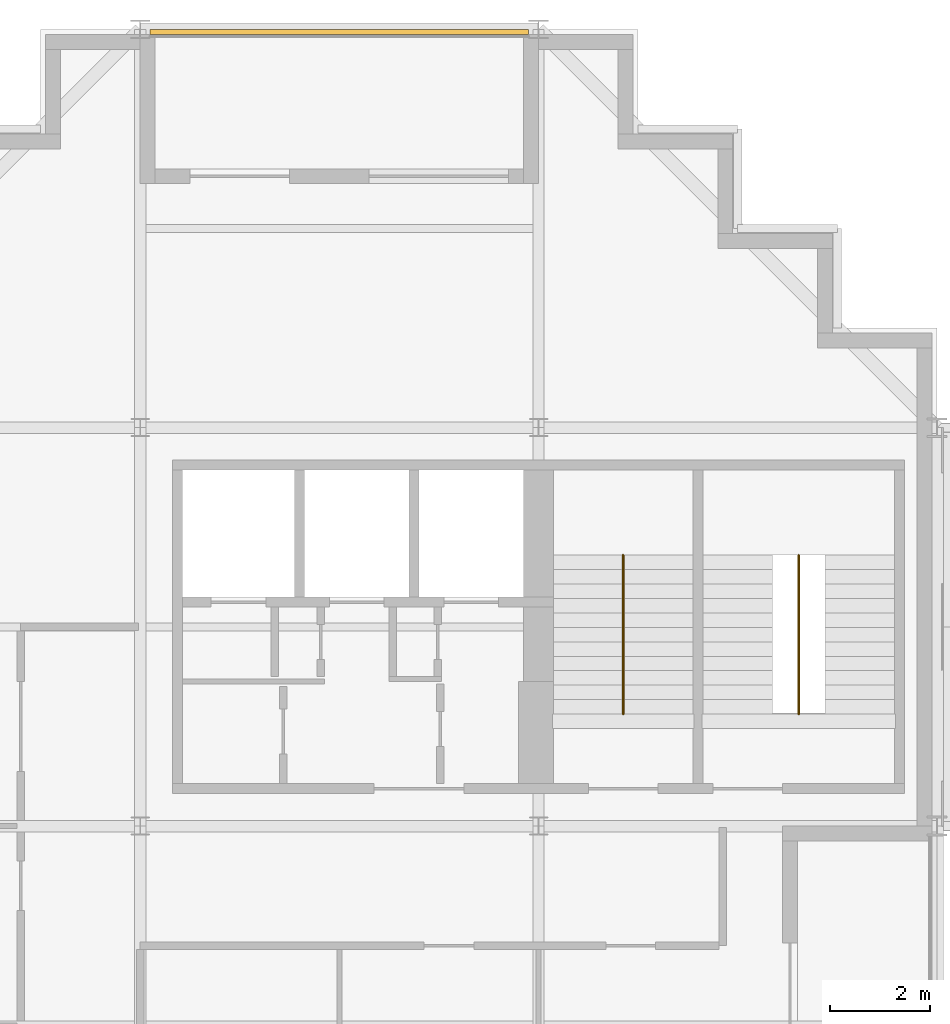
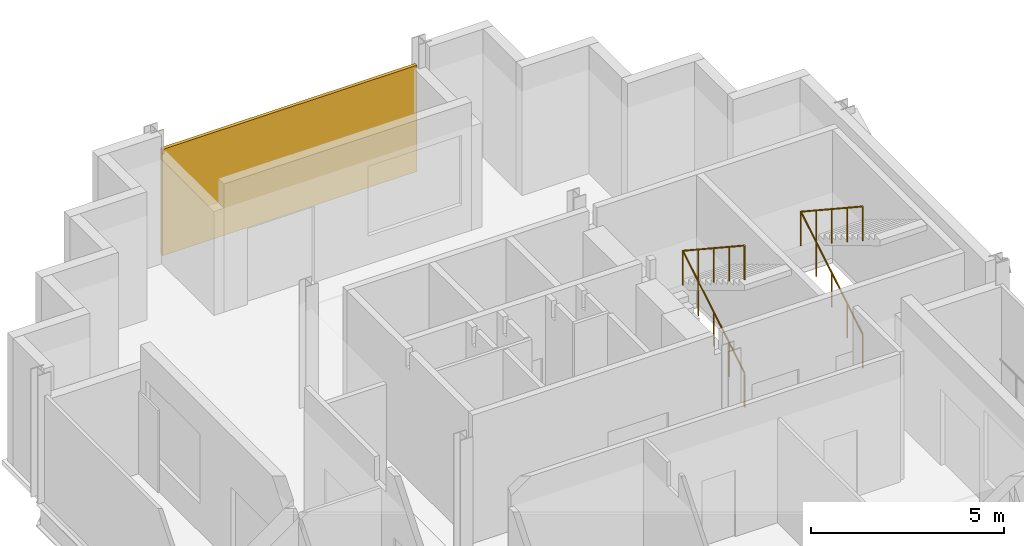
# One storey, part 12 of 13: 2 railings, 1 shading device.
"""IFC4 building model written with IfcOpenShell, lengths in metres."""

from ifc_helpers import new_model, si_unit, direction, frame, origin, origin_2d, place, context, subcontext, project, spatial, rectangle, circle, extrude, material, layer, layer_set, type_object, element, save


model = new_model("IFC4")

# Units and contexts
model_context = context("Model", 3, precision=1e-05, world=origin(), true_north=direction((0.0, 1.0)))
body_context = subcontext(model_context, "Body", "Model", "MODEL_VIEW")
ifc_project = project(units=[si_unit("LENGTHUNIT", "METRE"), si_unit("AREAUNIT", "SQUARE_METRE"), si_unit("VOLUMEUNIT", "CUBIC_METRE"), si_unit("PLANEANGLEUNIT", "RADIAN"), si_unit("MASSUNIT", "GRAM", prefix="KILO")], contexts=[model_context])

# Site, building, storey
site_placement = place(None, origin())
site = spatial("IfcSite", under=ifc_project, at=site_placement, CompositionType="ELEMENT")
building_placement = place(site_placement, origin())
building = spatial("IfcBuilding", under=site, at=building_placement, Name="Immortelle Media Tower", CompositionType="ELEMENT")
storey_placement = place(building_placement, frame((0.0, 0.0, 128.39990234375)))
storey = spatial("IfcBuildingStorey", under=building, at=storey_placement, Name="L25", CompositionType="ELEMENT", Elevation=128.39990234375)

# Shading device
ifc_material_1 = material(Name="Pale aluminium louvre blades", Category="aluminium")
ifc_layer = layer(ifc_material_1, 0.10009765625)
ifc_layer_set = layer_set([ifc_layer], Name="Pale aluminium louvre blades")
shading_device_type = type_object("IfcShadingDeviceType", Name="Jalousie screen 100", PredefinedType="JALOUSIE", material=ifc_layer_set)
shading_device_placement = place(storey_placement, frame((12.0, 47.949951171875, 0.000244140625), z_axis=(0.0, 0.0, 1.0), x_axis=(-1.0, 0.0, 0.0)))
element("IfcShadingDevice", 1, at=shading_device_placement, inside=storey, type_object=shading_device_type, Name="Jalousie screen L25 N0", PredefinedType="JALOUSIE", context=body_context, shape_type="SweptSolid", body=[
    extrude(rectangle(XDim=7.60595703125, YDim=0.10009765625, at=origin_2d()), origin(), (0.0, 0.0, 1.0), 3.35693359375),
])

# Railings
ifc_material_2 = material(Name="Stainless steel AISI 316", Category="steel")
railing_type = type_object("IfcRailingType", Name="Stair guard 1100", PredefinedType="GUARDRAIL", material=ifc_material_2)
for number, where, name in (
    (2, (17.699951171875, 34.25, 0.175048828125), "Stair guard NW1"),
    (3, (21.22509765625, 34.25, 0.175048828125), "Stair guard NW2"),
):
    element("IfcRailing", number, at=place(storey_placement, frame(where)), inside=storey, type_object=railing_type, Name=name, PredefinedType="GUARDRAIL", context=body_context, shape_type="SweptSolid", body=[
        extrude(circle(Radius=0.02392578125, at=origin_2d()), frame((0.0, 0.0, 1.076171875), z_axis=(0.0, 0.856177665481, 0.516681531633), x_axis=(-1.0, 0.0, 0.0)), (0.0, 0.0, 1.0), 3.725830078125),
        extrude(circle(Radius=0.02392578125, at=origin_2d()), frame((0.0, 3.18994140625, 3.0009765625), z_axis=(0.0, -0.835242474824, 0.549881812983), x_axis=(1.0, 0.0, 0.0)), (0.0, 0.0, 1.0), 3.819091796875),
        extrude(circle(Radius=0.02099609375, at=origin_2d()), origin(), (0.0, 0.0, 1.0), 1.052001953125),
        extrude(circle(Radius=0.02099609375, at=origin_2d()), frame((0.0, 0.79736328125, 0.481201171875)), (0.0, 0.0, 1.0), 1.052001953125),
        extrude(circle(Radius=0.02099609375, at=origin_2d()), frame((0.0, 1.594970703125, 0.96240234375)), (0.0, 0.0, 1.0), 1.052001953125),
        extrude(circle(Radius=0.02099609375, at=origin_2d()), frame((0.0, 2.392578125, 1.44384765625)), (0.0, 0.0, 1.0), 1.052001953125),
        extrude(circle(Radius=0.02099609375, at=origin_2d()), frame((0.0, 3.18994140625, 1.925048828125)), (0.0, 0.0, 1.0), 1.052001953125),
        extrude(circle(Radius=0.02099609375, at=origin_2d()), frame((0.0, 2.392578125, 2.4501953125)), (0.0, 0.0, 1.0), 1.052001953125),
        extrude(circle(Radius=0.02099609375, at=origin_2d()), frame((0.0, 1.594970703125, 2.97509765625)), (0.0, 0.0, 1.0), 1.052001953125),
        extrude(circle(Radius=0.02099609375, at=origin_2d()), frame((0.0, 0.79736328125, 3.5)), (0.0, 0.0, 1.0), 1.052001953125),
        extrude(circle(Radius=0.02099609375, at=origin_2d()), frame((0.0, 0.0, 4.025146484375)), (0.0, 0.0, 1.0), 1.052001953125),
    ])

save(model, "model.ifc")
